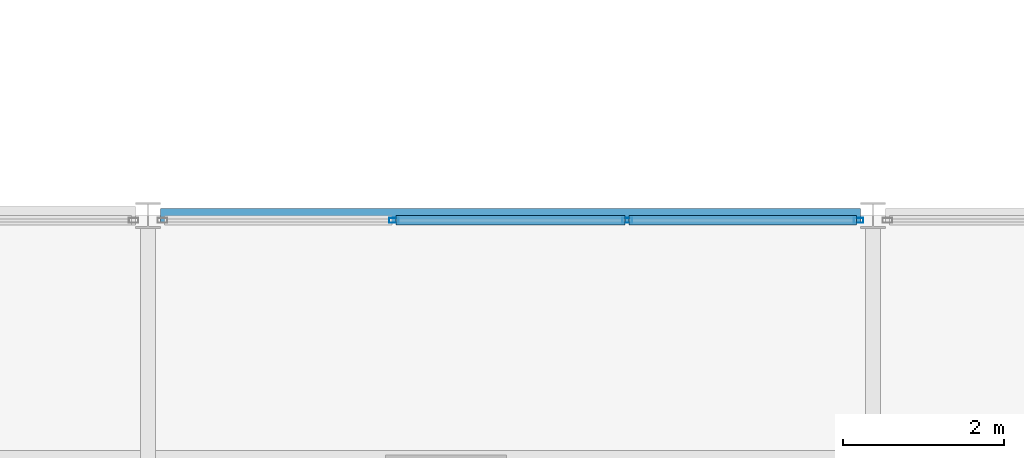
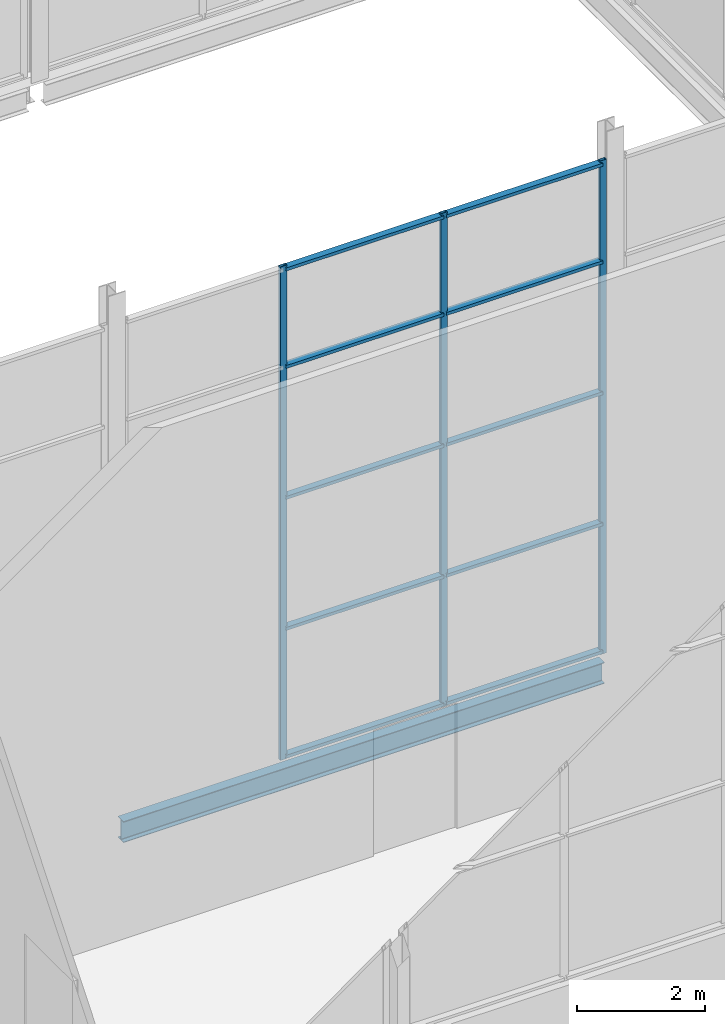
# One storey, part 26 of 111: 13 members, 1 beam, 1 element without a shape of its own.
"""IFC4 building model written with IfcOpenShell, lengths in metres."""

from ifc_helpers import new_model, si_unit, direction, frame, origin, origin_2d, place, context, subcontext, project, spatial, hollow_rectangle, i_section, extrude, material, layer, layer_set, material_profile, profile_set, type_object, element, aggregate, save


model = new_model("IFC4")

# Units and contexts
model_context = context("Model", 3, precision=1e-05, world=origin(), true_north=direction((0.0, 1.0)))
body_context = subcontext(model_context, "Body", "Model", "MODEL_VIEW")
ifc_project = project(units=[si_unit("LENGTHUNIT", "METRE"), si_unit("AREAUNIT", "SQUARE_METRE"), si_unit("VOLUMEUNIT", "CUBIC_METRE"), si_unit("PLANEANGLEUNIT", "RADIAN"), si_unit("MASSUNIT", "GRAM", prefix="KILO")], contexts=[model_context])

# Site, building, storey
site_placement = place(None, origin())
site = spatial("IfcSite", under=ifc_project, at=site_placement, CompositionType="ELEMENT")
building_placement = place(site_placement, origin())
building = spatial("IfcBuilding", under=site, at=building_placement, Name="Shorebreak Coast Museum", CompositionType="ELEMENT")
storey_placement = place(building_placement, frame((0.0, 0.0, 16.0)))
storey = spatial("IfcBuildingStorey", under=building, at=storey_placement, Name="L03", CompositionType="ELEMENT", Elevation=16.0)

# Beam
ifc_material_1 = material(Name="Steel Grade 300", Category="steel")
ifc_material_profile_1 = material_profile(ifc_material_1, i_section(OverallWidth=0.177978515625, OverallDepth=0.402587890625, WebThickness=0.007568359375, FlangeThickness=0.010986328125, FilletRadius=0.011474609375, at=origin_2d()), Name="410UB53.7")
ifc_profile_set_1 = profile_set([ifc_material_profile_1], Name="Steel Grade 300")
beam_type = type_object("IfcBeamType", Name="Floor girder east-west 410UB53.7", PredefinedType="BEAM", material=ifc_profile_set_1)
beam_placement = place(storey_placement, frame((90.155517578125, 63.0, -0.376220703125), z_axis=(1.0, 0.0, 0.0), x_axis=(0.0, 1.0, 0.0)))
element("IfcBeam", 1, at=beam_placement, inside=storey, type_object=beam_type, Name="Floor girder east-west L03 11H", PredefinedType="BEAM", context=body_context, shape_type="SweptSolid", body=[
    extrude(i_section(OverallWidth=0.177978515625, OverallDepth=0.402587890625, WebThickness=0.007568359375, FlangeThickness=0.010986328125, FilletRadius=0.011474609375, at=origin_2d()), origin(), (0.0, 0.0, 1.0), 8.68896484375),
])

# Curtain wall, members
ifc_material_2 = material(Name="Aluminium", Category="aluminium")
ifc_layer = layer(ifc_material_2, 0.1201171875)
ifc_layer_set = layer_set([ifc_layer], Name="Aluminium")
curtain_wall_type = type_object("IfcCurtainWallType", Name="Atrium fire screen", PredefinedType="NOTDEFINED", material=ifc_layer_set)
curtain_wall_placement = place(storey_placement, origin())
curtain_wall = element("IfcCurtainWall", 2, at=curtain_wall_placement, inside=storey, type_object=curtain_wall_type, Name="Atrium screen L03 S 37", PredefinedType="NOTDEFINED")
ifc_material_3 = material(Name="Aluminium", Category="aluminium")
ifc_material_profile_2 = material_profile(ifc_material_3, hollow_rectangle(XDim=0.06005859375, YDim=0.1201171875, WallThickness=0.00341796875, at=origin_2d()), Name="AL 120x60 RHS")
ifc_profile_set_2 = profile_set([ifc_material_profile_2], Name="Aluminium")
member_type_1 = type_object("IfcMemberType", Name="Screen mullion 50 x 120", PredefinedType="MULLION", material=ifc_profile_set_2)
member_1_placement = place(storey_placement, frame((93.051513671875, 62.93994140625, 0.0), z_axis=(0.0, 0.0, 1.0), x_axis=(0.0, 1.0, 0.0)))
member_1 = element("IfcMember", 3, at=member_1_placement, type_object=member_type_1, Name="CW5 mullion 2", PredefinedType="MULLION", context=body_context, shape_type="SweptSolid", body=[
    extrude(hollow_rectangle(XDim=0.06005859375, YDim=0.1201171875, WallThickness=0.00341796875, at=origin_2d()), origin(), (0.0, 0.0, 1.0), 9.42236328125),
])
member_2_placement = place(storey_placement, frame((95.948486328125, 62.93994140625, 0.0), z_axis=(0.0, 0.0, 1.0), x_axis=(0.0, 1.0, 0.0)))
member_2 = element("IfcMember", 4, at=member_2_placement, type_object=member_type_1, Name="CW5 mullion 3", PredefinedType="MULLION", context=body_context, shape_type="SweptSolid", body=[
    extrude(hollow_rectangle(XDim=0.06005859375, YDim=0.1201171875, WallThickness=0.00341796875, at=origin_2d()), origin(), (0.0, 0.0, 1.0), 9.42236328125),
])
member_3_placement = place(storey_placement, frame((98.820556640625, 62.93994140625, 0.0), z_axis=(0.0, 0.0, 1.0), x_axis=(0.0, 1.0, 0.0)))
member_3 = element("IfcMember", 5, at=member_3_placement, type_object=member_type_1, Name="CW5 mullion 4", PredefinedType="MULLION", context=body_context, shape_type="SweptSolid", body=[
    extrude(hollow_rectangle(XDim=0.06005859375, YDim=0.1201171875, WallThickness=0.00341796875, at=origin_2d()), origin(), (0.0, 0.0, 1.0), 9.42236328125),
])
ifc_material_4 = material(Name="Aluminium", Category="aluminium")
ifc_material_profile_3 = material_profile(ifc_material_4, hollow_rectangle(XDim=0.1201171875, YDim=0.06005859375, WallThickness=0.00341796875, at=origin_2d()), Name="AL 60x120 RHS")
ifc_profile_set_3 = profile_set([ifc_material_profile_3], Name="Aluminium")
member_type_2 = type_object("IfcMemberType", Name="Screen transom 120 x 50", PredefinedType="USERDEFINED", material=ifc_profile_set_3)
member_4_placement = place(storey_placement, frame((93.076416015625, 62.93994140625, 0.06005859375), z_axis=(1.0, 0.0, 0.0), x_axis=(0.0, 1.0, 0.0)))
member_4 = element("IfcMember", 6, at=member_4_placement, type_object=member_type_2, Name="CW5 transom 2.1", ObjectType="TRANSOM", PredefinedType="USERDEFINED", context=body_context, shape_type="SweptSolid", body=[
    extrude(hollow_rectangle(XDim=0.1201171875, YDim=0.06005859375, WallThickness=0.00341796875, at=origin_2d()), origin(), (0.0, 0.0, 1.0), 2.84716796875),
])
member_5_placement = place(storey_placement, frame((93.076416015625, 62.93994140625, 2.5), z_axis=(1.0, 0.0, 0.0), x_axis=(0.0, 1.0, 0.0)))
member_5 = element("IfcMember", 7, at=member_5_placement, type_object=member_type_2, Name="CW5 transom 2.2", ObjectType="TRANSOM", PredefinedType="USERDEFINED", context=body_context, shape_type="SweptSolid", body=[
    extrude(hollow_rectangle(XDim=0.1201171875, YDim=0.06005859375, WallThickness=0.00341796875, at=origin_2d()), origin(), (0.0, 0.0, 1.0), 2.84716796875),
])
member_6_placement = place(storey_placement, frame((93.076416015625, 62.93994140625, 5.0), z_axis=(1.0, 0.0, 0.0), x_axis=(0.0, 1.0, 0.0)))
member_6 = element("IfcMember", 8, at=member_6_placement, type_object=member_type_2, Name="CW5 transom 2.3", ObjectType="TRANSOM", PredefinedType="USERDEFINED", context=body_context, shape_type="SweptSolid", body=[
    extrude(hollow_rectangle(XDim=0.1201171875, YDim=0.06005859375, WallThickness=0.00341796875, at=origin_2d()), origin(), (0.0, 0.0, 1.0), 2.84716796875),
])
member_7_placement = place(storey_placement, frame((93.076416015625, 62.93994140625, 7.5), z_axis=(1.0, 0.0, 0.0), x_axis=(0.0, 1.0, 0.0)))
member_7 = element("IfcMember", 9, at=member_7_placement, type_object=member_type_2, Name="CW5 transom 2.4", ObjectType="TRANSOM", PredefinedType="USERDEFINED", context=body_context, shape_type="SweptSolid", body=[
    extrude(hollow_rectangle(XDim=0.1201171875, YDim=0.06005859375, WallThickness=0.00341796875, at=origin_2d()), origin(), (0.0, 0.0, 1.0), 2.84716796875),
])
member_8_placement = place(storey_placement, frame((93.076416015625, 62.93994140625, 9.3623046875), z_axis=(1.0, 0.0, 0.0), x_axis=(0.0, 1.0, 0.0)))
member_8 = element("IfcMember", 10, at=member_8_placement, type_object=member_type_2, Name="CW5 transom 2.5", ObjectType="TRANSOM", PredefinedType="USERDEFINED", context=body_context, shape_type="SweptSolid", body=[
    extrude(hollow_rectangle(XDim=0.1201171875, YDim=0.06005859375, WallThickness=0.00341796875, at=origin_2d()), origin(), (0.0, 0.0, 1.0), 2.84716796875),
])
member_9_placement = place(storey_placement, frame((95.973388671875, 62.93994140625, 0.06005859375), z_axis=(1.0, 0.0, 0.0), x_axis=(0.0, 1.0, 0.0)))
member_9 = element("IfcMember", 11, at=member_9_placement, type_object=member_type_2, Name="CW5 transom 3.1", ObjectType="TRANSOM", PredefinedType="USERDEFINED", context=body_context, shape_type="SweptSolid", body=[
    extrude(hollow_rectangle(XDim=0.1201171875, YDim=0.06005859375, WallThickness=0.00341796875, at=origin_2d()), origin(), (0.0, 0.0, 1.0), 2.822021484375),
])
member_10_placement = place(storey_placement, frame((95.973388671875, 62.93994140625, 2.5), z_axis=(1.0, 0.0, 0.0), x_axis=(0.0, 1.0, 0.0)))
member_10 = element("IfcMember", 12, at=member_10_placement, type_object=member_type_2, Name="CW5 transom 3.2", ObjectType="TRANSOM", PredefinedType="USERDEFINED", context=body_context, shape_type="SweptSolid", body=[
    extrude(hollow_rectangle(XDim=0.1201171875, YDim=0.06005859375, WallThickness=0.00341796875, at=origin_2d()), origin(), (0.0, 0.0, 1.0), 2.822021484375),
])
member_11_placement = place(storey_placement, frame((95.973388671875, 62.93994140625, 5.0), z_axis=(1.0, 0.0, 0.0), x_axis=(0.0, 1.0, 0.0)))
member_11 = element("IfcMember", 13, at=member_11_placement, type_object=member_type_2, Name="CW5 transom 3.3", ObjectType="TRANSOM", PredefinedType="USERDEFINED", context=body_context, shape_type="SweptSolid", body=[
    extrude(hollow_rectangle(XDim=0.1201171875, YDim=0.06005859375, WallThickness=0.00341796875, at=origin_2d()), origin(), (0.0, 0.0, 1.0), 2.822021484375),
])
member_12_placement = place(storey_placement, frame((95.973388671875, 62.93994140625, 7.5), z_axis=(1.0, 0.0, 0.0), x_axis=(0.0, 1.0, 0.0)))
member_12 = element("IfcMember", 14, at=member_12_placement, type_object=member_type_2, Name="CW5 transom 3.4", ObjectType="TRANSOM", PredefinedType="USERDEFINED", context=body_context, shape_type="SweptSolid", body=[
    extrude(hollow_rectangle(XDim=0.1201171875, YDim=0.06005859375, WallThickness=0.00341796875, at=origin_2d()), origin(), (0.0, 0.0, 1.0), 2.822021484375),
])
member_13_placement = place(storey_placement, frame((95.973388671875, 62.93994140625, 9.3623046875), z_axis=(1.0, 0.0, 0.0), x_axis=(0.0, 1.0, 0.0)))
member_13 = element("IfcMember", 15, at=member_13_placement, type_object=member_type_2, Name="CW5 transom 3.5", ObjectType="TRANSOM", PredefinedType="USERDEFINED", context=body_context, shape_type="SweptSolid", body=[
    extrude(hollow_rectangle(XDim=0.1201171875, YDim=0.06005859375, WallThickness=0.00341796875, at=origin_2d()), origin(), (0.0, 0.0, 1.0), 2.822021484375),
])
aggregate(curtain_wall, [member_1, member_2, member_3, member_4, member_5, member_6, member_7, member_8, member_9, member_10, member_11, member_12, member_13])

save(model, "model.ifc")
